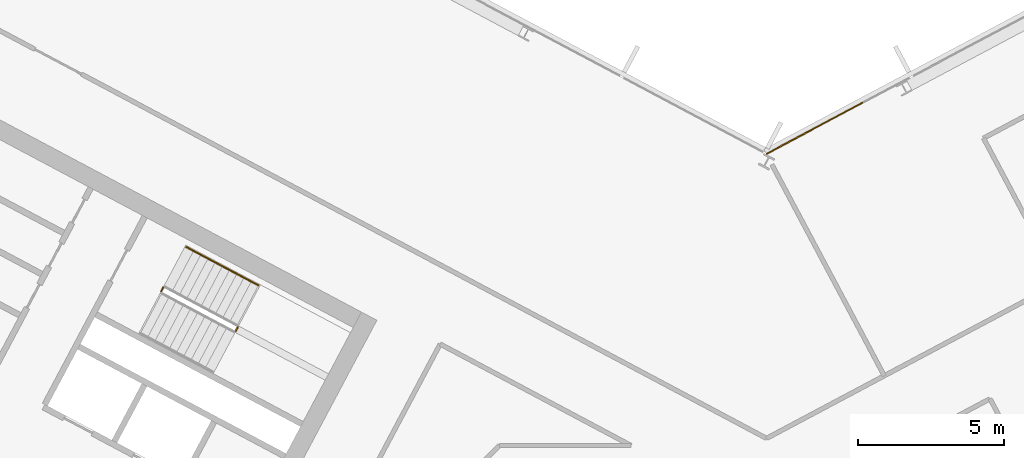
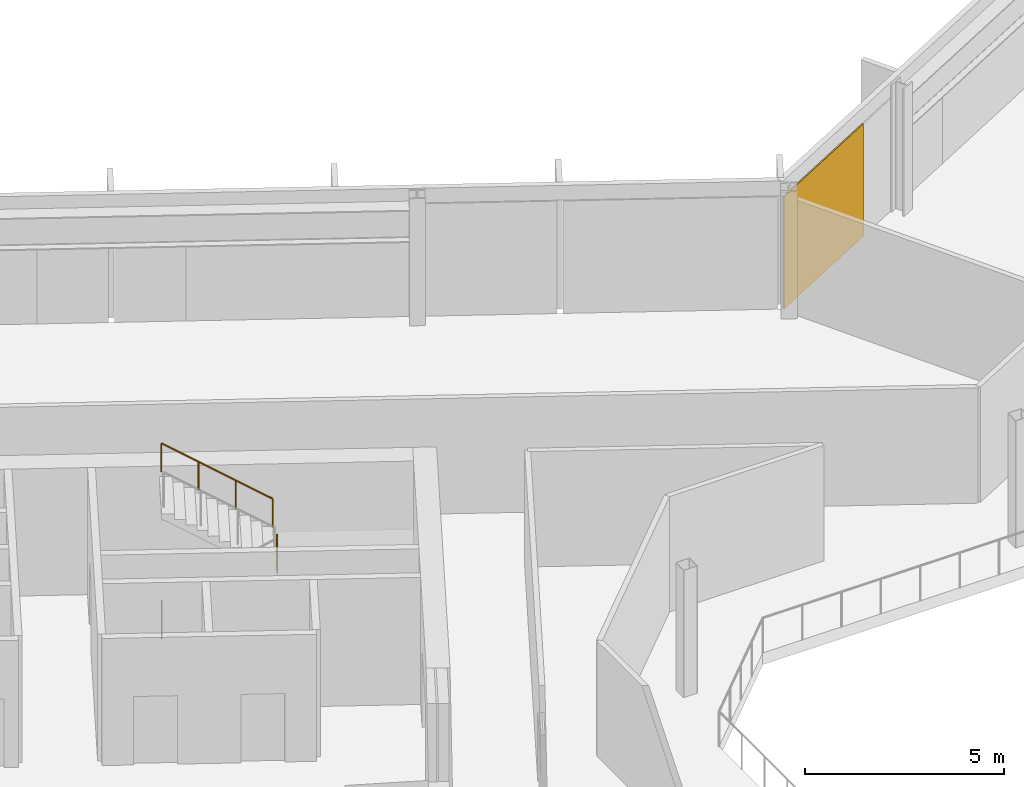
# One storey, part 22 of 26: 3 railings, 1 covering, 1 element without a shape of its own.
"""IFC4 building model written with IfcOpenShell, lengths in metres."""

from ifc_helpers import new_model, si_unit, direction, frame, origin, origin_2d, place, context, subcontext, project, spatial, polyline, rectangle, outline, extrude, material, layer, layer_set, type_object, element, aggregate, save


model = new_model("IFC4")

# Units and contexts
model_context = context("Model", 3, precision=1e-05, world=origin(), true_north=direction((0.0, 1.0)))
body_context = subcontext(model_context, "Body", "Model", "MODEL_VIEW")
ifc_project = project(units=[si_unit("LENGTHUNIT", "METRE"), si_unit("AREAUNIT", "SQUARE_METRE"), si_unit("VOLUMEUNIT", "CUBIC_METRE"), si_unit("PLANEANGLEUNIT", "RADIAN"), si_unit("MASSUNIT", "GRAM", prefix="KILO")], contexts=[model_context])

# Site, building, storey
site_placement = place(None, origin())
site = spatial("IfcSite", under=ifc_project, at=site_placement, CompositionType="ELEMENT")
building_placement = place(site_placement, origin())
building = spatial("IfcBuilding", under=site, at=building_placement, Name="Cormorant Relay Tower", CompositionType="ELEMENT")
storey_placement = place(building_placement, frame((0.0, 0.0, 193.5)))
storey = spatial("IfcBuildingStorey", under=building, at=storey_placement, Name="L41", CompositionType="ELEMENT", Elevation=193.5)

# Curtain wall, covering
ifc_material_1 = material(Name="Aluminium 6063-T6 anodised bronze", Category="aluminium")
ifc_layer_1 = layer(ifc_material_1, 0.199951171875)
ifc_layer_set_1 = layer_set([ifc_layer_1], Name="CW1 unitised bronze curtain wall with vertical fins")
curtain_wall_type = type_object("IfcCurtainWallType", Name="CW1 unitised bronze curtain wall with vertical fins", PredefinedType="NOTDEFINED", material=ifc_layer_set_1)
curtain_wall_placement = place(storey_placement, origin())
curtain_wall = element("IfcCurtainWall", 1, at=curtain_wall_placement, inside=storey, type_object=curtain_wall_type, Name="CW1 curtain wall 8", PredefinedType="NOTDEFINED")
ifc_material_2 = material(Name="Pale bronze anodised aluminium insulated panel", Category="aluminium")
ifc_layer_2 = layer(ifc_material_2, 0.0400390625)
ifc_layer_set_2 = layer_set([ifc_layer_2], Name="CW1 pale bronze insulated panel 40")
covering_type = type_object("IfcCoveringType", Name="CW1 pale bronze insulated panel 40", PredefinedType="CLADDING", material=ifc_layer_set_2)
covering_placement = place(storey_placement, frame((1.65234375, 24.685302734375, 0.0), z_axis=(0.0, 0.0, 1.0), x_axis=(-0.882947592859, -0.469471562786, 0.0)))
covering = element("IfcCovering", 2, at=covering_placement, type_object=covering_type, Name="CW1 panel S07", PredefinedType="CLADDING", context=body_context, shape_type="SweptSolid", body=[
    extrude(rectangle(XDim=3.763916015625, YDim=0.0400390625, at=origin_2d()), origin(), (0.0, 0.0, 1.0), 3.449951171875),
])
aggregate(curtain_wall, [covering])

# Railings
ifc_material_3 = material(Name="Steel ASTM A572 Grade 50 (Fy 345 MPa)", Category="steel")
railing_type_1 = type_object("IfcRailingType", Name="Stair guard 1100", PredefinedType="GUARDRAIL", material=ifc_material_3)
railing_1_placement = place(storey_placement, frame((-18.210693359375, 17.72412109375, 1.949951171875)))
element("IfcRailing", 3, at=railing_1_placement, inside=storey, type_object=railing_type_1, Name="L41 A1 stair guard 2", PredefinedType="GUARDRAIL", context=body_context, shape_type="SweptSolid", body=[
    extrude(outline(polyline([(0.022216796875, 0.00927734375), (0.00927734375, 0.022216796875), (-0.00927734375, 0.022216796875), (-0.022216796875, 0.00927734375), (-0.022216796875, -0.00927734375), (-0.00927734375, -0.022216796875), (0.00927734375, -0.022216796875), (0.022216796875, -0.00927734375), (0.022216796875, 0.00927734375)])), frame((0.0, 0.0, 1.076171875), z_axis=(0.470503732759, 0.882398003998, 0.0), x_axis=(-0.882398003998, 0.470503732759, 0.0)), (0.0, 0.0, 1.0), 0.14990234375),
    extrude(outline(polyline([(0.019287109375, 0.008056640625), (0.008056640625, 0.019287109375), (-0.008056640625, 0.019287109375), (-0.019287109375, 0.008056640625), (-0.019287109375, -0.008056640625), (-0.008056640625, -0.019287109375), (0.008056640625, -0.019287109375), (0.019287109375, -0.008056640625), (0.019287109375, 0.008056640625)])), origin(), (0.0, 0.0, 1.0), 1.052001953125),
    extrude(outline(polyline([(0.019287109375, 0.008056640625), (0.008056640625, 0.019287109375), (-0.008056640625, 0.019287109375), (-0.019287109375, 0.008056640625), (-0.019287109375, -0.008056640625), (-0.008056640625, -0.019287109375), (0.008056640625, -0.019287109375), (0.019287109375, -0.008056640625), (0.019287109375, 0.008056640625)])), frame((0.070556640625, 0.13232421875, 0.0)), (0.0, 0.0, 1.0), 1.052001953125),
])
railing_2_placement = place(storey_placement, frame((-20.771240234375, 19.08544921875, 0.0)))
element("IfcRailing", 4, at=railing_2_placement, inside=storey, type_object=railing_type_1, Name="L41 A1 stair guard 4", PredefinedType="GUARDRAIL", context=body_context, shape_type="SweptSolid", body=[
    extrude(outline(polyline([(0.022216796875, 0.00927734375), (0.00927734375, 0.022216796875), (-0.00927734375, 0.022216796875), (-0.022216796875, 0.00927734375), (-0.022216796875, -0.00927734375), (-0.00927734375, -0.022216796875), (0.00927734375, -0.022216796875), (0.022216796875, -0.00927734375), (0.022216796875, 0.00927734375)])), frame((0.0, 0.0, 1.076171875), z_axis=(0.469828648786, 0.882757634224, 0.0), x_axis=(-0.882757634224, 0.469828648786, 0.0)), (0.0, 0.0, 1.0), 0.150146484375),
    extrude(outline(polyline([(0.019287109375, 0.008056640625), (0.008056640625, 0.019287109375), (-0.008056640625, 0.019287109375), (-0.019287109375, 0.008056640625), (-0.019287109375, -0.008056640625), (-0.008056640625, -0.019287109375), (0.008056640625, -0.019287109375), (0.019287109375, -0.008056640625), (0.019287109375, 0.008056640625)])), origin(), (0.0, 0.0, 1.0), 1.052001953125),
    extrude(outline(polyline([(0.019287109375, 0.008056640625), (0.008056640625, 0.019287109375), (-0.008056640625, 0.019287109375), (-0.019287109375, 0.008056640625), (-0.019287109375, -0.008056640625), (-0.008056640625, -0.019287109375), (0.008056640625, -0.019287109375), (0.019287109375, -0.008056640625), (0.019287109375, 0.008056640625)])), frame((0.070556640625, 0.132568359375, 0.0)), (0.0, 0.0, 1.0), 1.052001953125),
])
ifc_material_4 = material(Name="Steel ASTM A572 Grade 50 (Fy 345 MPa)", Category="steel")
railing_type_2 = type_object("IfcRailingType", Name="Stair handrail 900", PredefinedType="HANDRAIL", material=ifc_material_4)
railing_3_placement = place(storey_placement, frame((-17.433349609375, 19.292724609375, 2.127197265625)))
element("IfcRailing", 5, at=railing_3_placement, inside=storey, type_object=railing_type_2, Name="L41 A1 stair handrail 2", PredefinedType="HANDRAIL", context=body_context, shape_type="SweptSolid", body=[
    extrude(outline(polyline([(0.022216796875, 0.00927734375), (0.00927734375, 0.022216796875), (-0.00927734375, 0.022216796875), (-0.022216796875, 0.00927734375), (-0.022216796875, -0.00927734375), (-0.00927734375, -0.022216796875), (0.00927734375, -0.022216796875), (0.022216796875, -0.00927734375), (0.022216796875, 0.00927734375)])), frame((0.0, 0.0, 0.8759765625), z_axis=(-0.746001213114, 0.396649272309, 0.534931345884), x_axis=(-0.469465464807, -0.882950835185, 0.0)), (0.0, 0.0, 1.0), 3.31396484375),
    extrude(outline(polyline([(0.019287109375, 0.008056640625), (0.008056640625, 0.019287109375), (-0.008056640625, 0.019287109375), (-0.019287109375, 0.008056640625), (-0.019287109375, -0.008056640625), (-0.008056640625, -0.019287109375), (0.008056640625, -0.019287109375), (0.019287109375, -0.008056640625), (0.019287109375, 0.008056640625)])), origin(), (0.0, 0.0, 1.0), 0.851806640625),
    extrude(outline(polyline([(0.019287109375, 0.008056640625), (0.008056640625, 0.019287109375), (-0.008056640625, 0.019287109375), (-0.019287109375, 0.008056640625), (-0.019287109375, -0.008056640625), (-0.008056640625, -0.019287109375), (0.008056640625, -0.019287109375), (0.019287109375, -0.008056640625), (0.019287109375, 0.008056640625)])), frame((-0.823974609375, 0.438232421875, 0.5908203125)), (0.0, 0.0, 1.0), 0.851806640625),
    extrude(outline(polyline([(0.019287109375, 0.008056640625), (0.008056640625, 0.019287109375), (-0.008056640625, 0.019287109375), (-0.019287109375, 0.008056640625), (-0.019287109375, -0.008056640625), (-0.008056640625, -0.019287109375), (0.008056640625, -0.019287109375), (0.019287109375, -0.008056640625), (0.019287109375, 0.008056640625)])), frame((-1.648193359375, 0.876220703125, 1.181884765625)), (0.0, 0.0, 1.0), 0.851806640625),
    extrude(outline(polyline([(0.019287109375, 0.008056640625), (0.008056640625, 0.019287109375), (-0.008056640625, 0.019287109375), (-0.019287109375, 0.008056640625), (-0.019287109375, -0.008056640625), (-0.008056640625, -0.019287109375), (0.008056640625, -0.019287109375), (0.019287109375, -0.008056640625), (0.019287109375, 0.008056640625)])), frame((-2.47216796875, 1.314453125, 1.772705078125)), (0.0, 0.0, 1.0), 0.851806640625),
])

save(model, "model.ifc")
